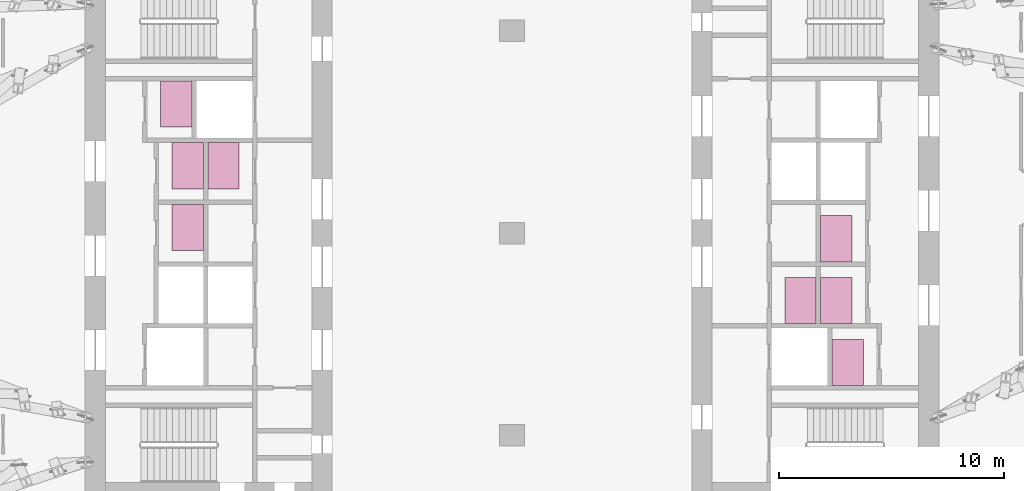
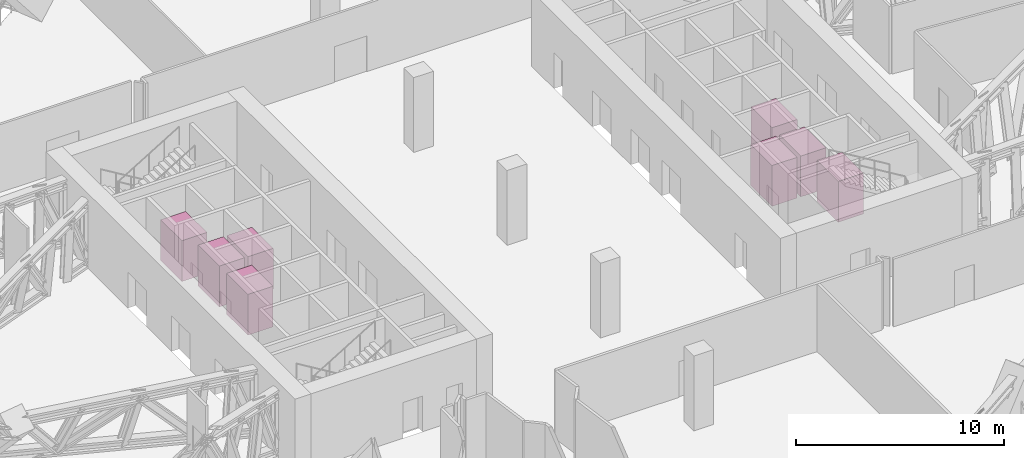
# One storey, part 39 of 39: 8 transport elements.
"""IFC4 building model written with IfcOpenShell, lengths in metres."""

from ifc_helpers import new_model, si_unit, direction, frame, origin, origin_2d, place, context, subcontext, project, spatial, rectangle, extrude, material, type_object, element, save


model = new_model("IFC4")

# Units and contexts
model_context = context("Model", 3, precision=1e-05, world=origin(), true_north=direction((0.0, 1.0)))
body_context = subcontext(model_context, "Body", "Model", "MODEL_VIEW")
ifc_project = project(units=[si_unit("LENGTHUNIT", "METRE"), si_unit("AREAUNIT", "SQUARE_METRE"), si_unit("VOLUMEUNIT", "CUBIC_METRE"), si_unit("PLANEANGLEUNIT", "RADIAN"), si_unit("MASSUNIT", "GRAM", prefix="KILO")], contexts=[model_context])

# Site, building, storey
site_placement = place(None, origin())
site = spatial("IfcSite", under=ifc_project, at=site_placement, CompositionType="ELEMENT")
building_placement = place(site_placement, origin())
building = spatial("IfcBuilding", under=site, at=building_placement, Name="Orlundy Tower", CompositionType="ELEMENT")
storey_placement = place(building_placement, frame((0.0, 0.0, 141.199951171875)))
storey = spatial("IfcBuildingStorey", under=building, at=storey_placement, Name="L36", CompositionType="ELEMENT", Elevation=141.199951171875)

# Transport elements
ifc_material = material(Name="Passenger Lift 1200 kg")
transport_element_type = type_object("IfcTransportElementType", Name="Passenger Lift 1200 kg", PredefinedType="ELEVATOR", material=ifc_material)
for number, where, z_axis, x_axis, name in (
    (1, (-14.43994140625, 0.25, 0.0), (0.0, 0.0, 1.0), (1.0, 0.0, 0.0), "Lift LP-11"),
    (2, (-12.840087890625, 3.0, 0.0), (0.0, 0.0, 1.0), (1.0, 0.0, 0.0), "Lift LP-12"),
    (3, (-14.43994140625, 3.0, 0.0), (0.0, 0.0, 1.0), (1.0, 0.0, 0.0), "Lift LP-13"),
    (4, (-14.93994140625, 5.75, 0.0), (0.0, 0.0, 1.0), (1.0, 0.0, 0.0), "Lift LP-14"),
    (5, (14.43994140625, -0.25, 0.0), (0.0, 0.0, 1.0), (1.0, 0.0, 0.0), "Lift LP-15"),
    (6, (12.840087890625, -3.0, 0.0), (0.0, 0.0, 1.0), (1.0, 0.0, 0.0), "Lift LP-16"),
    (7, (14.43994140625, -3.0, 0.0), (0.0, 0.0, 1.0), (1.0, 0.0, 0.0), "Lift LP-17"),
    (8, (14.93994140625, -5.75, 0.0), (0.0, 0.0, 1.0), (1.0, 0.0, 0.0), "Lift LP-18"),
):
    element("IfcTransportElement", number, at=place(storey_placement, frame(where, z_axis=z_axis, x_axis=x_axis)), inside=storey, type_object=transport_element_type, Name=name, PredefinedType="ELEVATOR", context=body_context, shape_type="SweptSolid", body=[
        extrude(rectangle(XDim=1.39990234375, YDim=2.050048828125, at=origin_2d()), origin(), (0.0, 0.0, 1.0), 2.39990234375),
    ])

save(model, "model.ifc")
